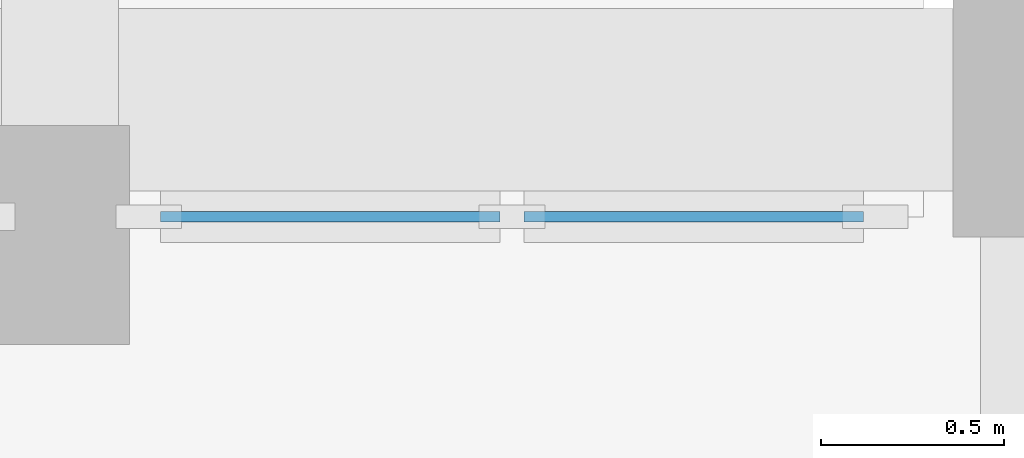
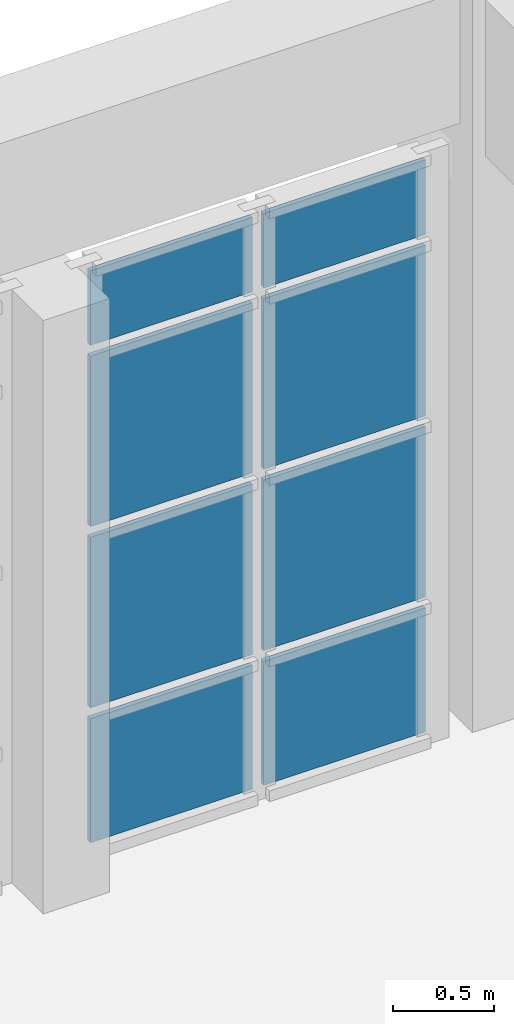
# One storey, part 104 of 155: 8 plates, 1 element without a shape of its own.
"""IFC4 building model written with IfcOpenShell, lengths in metres."""

from ifc_helpers import new_model, si_unit, direction, frame, origin, origin_2d, place, context, subcontext, project, spatial, rectangle, extrude, material, layer, layer_set, type_object, element, aggregate, save


model = new_model("IFC4")

# Units and contexts
model_context = context("Model", 3, precision=1e-05, world=origin(), true_north=direction((0.0, 1.0)))
body_context = subcontext(model_context, "Body", "Model", "MODEL_VIEW")
ifc_project = project(units=[si_unit("LENGTHUNIT", "METRE"), si_unit("AREAUNIT", "SQUARE_METRE"), si_unit("VOLUMEUNIT", "CUBIC_METRE"), si_unit("PLANEANGLEUNIT", "RADIAN"), si_unit("MASSUNIT", "GRAM", prefix="KILO")], contexts=[model_context])

# Site, building, storey
site_placement = place(None, origin())
site = spatial("IfcSite", under=ifc_project, at=site_placement, CompositionType="ELEMENT")
building_placement = place(site_placement, origin())
building = spatial("IfcBuilding", under=site, at=building_placement, Name="Tazarka Park Arena", CompositionType="ELEMENT")
storey_placement = place(building_placement, frame((0.0, 0.0, 5.39990234375)))
storey = spatial("IfcBuildingStorey", under=building, at=storey_placement, Name="L01", CompositionType="ELEMENT", Elevation=5.39990234375)

# Curtain wall, plates
ifc_material_1 = material(Name="Aluminium and low-e glass", Category="aluminium")
ifc_layer_1 = layer(ifc_material_1, 0.179931640625, Name="Aluminium and low-e glass")
ifc_layer_set_1 = layer_set([ifc_layer_1], Name="Aluminium and low-e glass")
curtain_wall_type = type_object("IfcCurtainWallType", Name="CW-18", PredefinedType="NOTDEFINED", material=ifc_layer_set_1)
curtain_wall_placement = place(storey_placement, origin())
curtain_wall = element("IfcCurtainWall", 1, at=curtain_wall_placement, inside=storey, type_object=curtain_wall_type, Name="Curtain Wall CWA-L01-048", PredefinedType="NOTDEFINED")
ifc_material_2 = material(Name="Double low-e insulated glazing", Category="glass")
ifc_layer_2 = layer(ifc_material_2, 0.028076171875, Name="Double low-e insulated glazing")
ifc_layer_set_2 = layer_set([ifc_layer_2], Name="Double low-e insulated glazing")
plate_type = type_object("IfcPlateType", Name="CWP-01", PredefinedType="CURTAIN_PANEL", material=ifc_layer_set_2)
plate_1_placement = place(storey_placement, frame((61.92138671875, 127.679931640625, 0.065185546875), z_axis=(0.0, 0.0, 1.0), x_axis=(1.0, 0.0, 0.0)))
plate_1 = element("IfcPlate", 2, at=plate_1_placement, type_object=plate_type, Name="CW-18 panel 1.1", PredefinedType="CURTAIN_PANEL", context=body_context, shape_type="SweptSolid", body=[
    extrude(rectangle(XDim=0.92919921875, YDim=0.028076171875, at=origin_2d()), origin(), (0.0, 0.0, 1.0), 0.75244140625),
])
plate_2_placement = place(storey_placement, frame((61.92138671875, 127.679931640625, 0.8828125), z_axis=(0.0, 0.0, 1.0), x_axis=(1.0, 0.0, 0.0)))
plate_2 = element("IfcPlate", 3, at=plate_2_placement, type_object=plate_type, Name="CW-18 panel 1.2", PredefinedType="CURTAIN_PANEL", context=body_context, shape_type="SweptSolid", body=[
    extrude(rectangle(XDim=0.92919921875, YDim=0.028076171875, at=origin_2d()), origin(), (0.0, 0.0, 1.0), 1.034912109375),
])
plate_3_placement = place(storey_placement, frame((61.92138671875, 127.679931640625, 1.982421875), z_axis=(0.0, 0.0, 1.0), x_axis=(1.0, 0.0, 0.0)))
plate_3 = element("IfcPlate", 4, at=plate_3_placement, type_object=plate_type, Name="CW-18 panel 1.3", PredefinedType="CURTAIN_PANEL", context=body_context, shape_type="SweptSolid", body=[
    extrude(rectangle(XDim=0.92919921875, YDim=0.028076171875, at=origin_2d()), origin(), (0.0, 0.0, 1.0), 1.034912109375),
])
plate_4_placement = place(storey_placement, frame((61.92138671875, 127.679931640625, 3.08251953125), z_axis=(0.0, 0.0, 1.0), x_axis=(1.0, 0.0, 0.0)))
plate_4 = element("IfcPlate", 5, at=plate_4_placement, type_object=plate_type, Name="CW-18 panel 1.4", PredefinedType="CURTAIN_PANEL", context=body_context, shape_type="SweptSolid", body=[
    extrude(rectangle(XDim=0.92919921875, YDim=0.028076171875, at=origin_2d()), origin(), (0.0, 0.0, 1.0), 0.452392578125),
])
plate_5_placement = place(storey_placement, frame((62.91552734375, 127.679931640625, 0.065185546875), z_axis=(0.0, 0.0, 1.0), x_axis=(1.0, 0.0, 0.0)))
plate_5 = element("IfcPlate", 6, at=plate_5_placement, type_object=plate_type, Name="CW-18 panel 2.1", PredefinedType="CURTAIN_PANEL", context=body_context, shape_type="SweptSolid", body=[
    extrude(rectangle(XDim=0.92919921875, YDim=0.028076171875, at=origin_2d()), origin(), (0.0, 0.0, 1.0), 0.75244140625),
])
plate_6_placement = place(storey_placement, frame((62.91552734375, 127.679931640625, 0.8828125), z_axis=(0.0, 0.0, 1.0), x_axis=(1.0, 0.0, 0.0)))
plate_6 = element("IfcPlate", 7, at=plate_6_placement, type_object=plate_type, Name="CW-18 panel 2.2", PredefinedType="CURTAIN_PANEL", context=body_context, shape_type="SweptSolid", body=[
    extrude(rectangle(XDim=0.92919921875, YDim=0.028076171875, at=origin_2d()), origin(), (0.0, 0.0, 1.0), 1.034912109375),
])
plate_7_placement = place(storey_placement, frame((62.91552734375, 127.679931640625, 1.982421875), z_axis=(0.0, 0.0, 1.0), x_axis=(1.0, 0.0, 0.0)))
plate_7 = element("IfcPlate", 8, at=plate_7_placement, type_object=plate_type, Name="CW-18 panel 2.3", PredefinedType="CURTAIN_PANEL", context=body_context, shape_type="SweptSolid", body=[
    extrude(rectangle(XDim=0.92919921875, YDim=0.028076171875, at=origin_2d()), origin(), (0.0, 0.0, 1.0), 1.034912109375),
])
plate_8_placement = place(storey_placement, frame((62.91552734375, 127.679931640625, 3.08251953125), z_axis=(0.0, 0.0, 1.0), x_axis=(1.0, 0.0, 0.0)))
plate_8 = element("IfcPlate", 9, at=plate_8_placement, type_object=plate_type, Name="CW-18 panel 2.4", PredefinedType="CURTAIN_PANEL", context=body_context, shape_type="SweptSolid", body=[
    extrude(rectangle(XDim=0.92919921875, YDim=0.028076171875, at=origin_2d()), origin(), (0.0, 0.0, 1.0), 0.452392578125),
])
aggregate(curtain_wall, [plate_1, plate_2, plate_3, plate_4, plate_5, plate_6, plate_7, plate_8])

save(model, "model.ifc")
